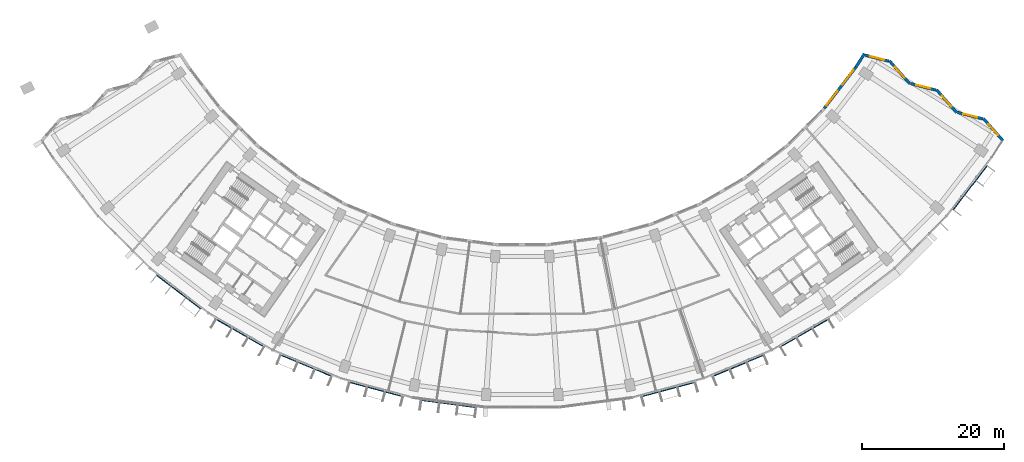
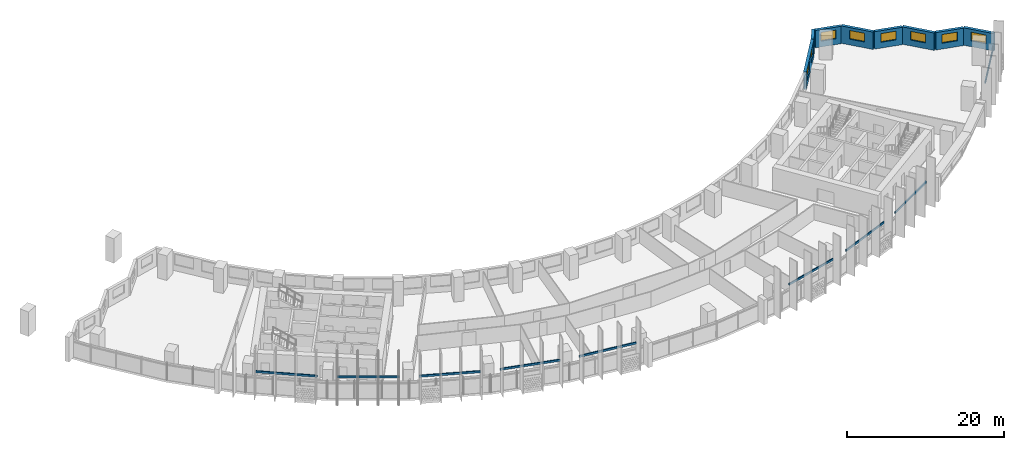
# One storey, part 8 of 32: 9 discrete accessories, 8 walls, 8 windows, 8 openings.
"""IFC4 building model written with IfcOpenShell, lengths in metres."""

from ifc_helpers import new_model, si_unit, direction, frame, frame_2d, origin, origin_2d, place, context, subcontext, project, spatial, rectangle, extrude, material, layer, layer_set, type_object, element, fill, save


model = new_model("IFC4")

# Units and contexts
model_context = context("Model", 3, precision=1e-05, world=origin(), true_north=direction((0.0, 1.0)))
body_context = subcontext(model_context, "Body", "Model", "MODEL_VIEW")
ifc_project = project(units=[si_unit("LENGTHUNIT", "METRE"), si_unit("AREAUNIT", "SQUARE_METRE"), si_unit("VOLUMEUNIT", "CUBIC_METRE"), si_unit("PLANEANGLEUNIT", "RADIAN"), si_unit("MASSUNIT", "GRAM", prefix="KILO")], contexts=[model_context])

# Site, building, storey
site_placement = place(None, origin())
site = spatial("IfcSite", under=ifc_project, at=site_placement, CompositionType="ELEMENT")
building_placement = place(site_placement, origin())
building = spatial("IfcBuilding", under=site, at=building_placement, Name="Qamariyya Broadcast Tower", CompositionType="ELEMENT")
storey_placement = place(building_placement, frame((0.0, 0.0, 70.89990234375)))
storey = spatial("IfcBuildingStorey", under=building, at=storey_placement, Name="L14", CompositionType="ELEMENT", Elevation=70.89990234375)

# Wall, opening, window
ifc_material_1 = material(Name="Terracotta", Category="masonry")
ifc_layer = layer(ifc_material_1, 0.39990234375)
ifc_layer_set = layer_set([ifc_layer], Name="Terracotta clad wall 400")
wall_type = type_object("IfcWallType", Name="Terracotta clad wall 400", PredefinedType="SOLIDWALL", material=ifc_layer_set)
wall_1_placement = place(storey_placement, frame((67.734375, -41.795166015625, 0.0), z_axis=(0.0, 0.0, 1.0), x_axis=(-0.660372824518, 0.750937901986, 0.0)))
wall_1 = element("IfcWall", 1, at=wall_1_placement, inside=storey, type_object=wall_type, Name="e-wl-L14-capE0", PredefinedType="SOLIDWALL", context=body_context, shape_type="SweptSolid", body=[
    extrude(rectangle(XDim=4.121826171875, YDim=0.39990234375, at=frame_2d((2.06103515625, 0.0))), origin(), (0.0, 0.0, 1.0), 2.7001953125),
])
opening_1_placement = place(wall_1_placement, frame((1.060791015625, 0.0, 0.89990234375)))
opening_1 = element("IfcOpeningElement", 2, at=opening_1_placement, cuts=wall_1, Name="Opening W4", PredefinedType="OPENING", context=body_context, shape_type="SweptSolid", body=[
    extrude(rectangle(XDim=2.0, YDim=1.35009765625, at=frame_2d((1.0, 0.675048828125))), frame((0.0, 0.2099609375, 0.0), z_axis=(0.0, -1.0, 0.0), x_axis=(1.0, 0.0, 0.0)), (0.0, 0.0, 1.0), 0.419921875),
])
ifc_material_2 = material(Name="Clear low-e double glazed unit in aluminium frame", Category="aluminium")
window_type_1 = type_object("IfcWindowType", Name="Horn bay window 2000 x 1350", PartitioningType="SINGLE_PANEL", PredefinedType="WINDOW", material=ifc_material_2)
window_1_placement = place(opening_1_placement, origin())
window_1 = element("IfcWindow", 3, at=window_1_placement, inside=storey, type_object=window_type_1, Name="e-w-L14-capE0", OverallHeight=1.35009765625, OverallWidth=2.0, PartitioningType="SINGLE_PANEL", PredefinedType="WINDOW", context=body_context, shape_type="SweptSolid", body=[
    extrude(rectangle(XDim=2.0, YDim=1.35009765625, at=frame_2d((1.0, 0.675048828125))), frame((0.0, 0.030029296875, 0.0), z_axis=(0.0, -1.0, 0.0), x_axis=(1.0, 0.0, 0.0)), (0.0, 0.0, 1.0), 0.06005859375),
])
fill(opening_1, window_1)

wall_2_placement = place(storey_placement, frame((64.887939453125, -38.732421875, 0.0), z_axis=(0.0, 0.0, 1.0), x_axis=(-0.968885967077, 0.247507540899, 0.0)))
wall_2 = element("IfcWall", 4, at=wall_2_placement, inside=storey, type_object=wall_type, Name="e-wl-L14-capE1", PredefinedType="SOLIDWALL", context=body_context, shape_type="SweptSolid", body=[
    extrude(rectangle(XDim=3.648681640625, YDim=0.39990234375, at=frame_2d((1.82421875, 0.0))), origin(), (0.0, 0.0, 1.0), 2.7001953125),
])
opening_2_placement = place(wall_2_placement, frame((0.824462890625, 0.0, 0.89990234375)))
opening_2 = element("IfcOpeningElement", 5, at=opening_2_placement, cuts=wall_2, Name="Opening W4", PredefinedType="OPENING", context=body_context, shape_type="SweptSolid", body=[
    extrude(rectangle(XDim=2.0, YDim=1.35009765625, at=frame_2d((1.0, 0.675048828125))), frame((0.0, 0.2099609375, 0.0), z_axis=(0.0, -1.0, 0.0), x_axis=(1.0, 0.0, 0.0)), (0.0, 0.0, 1.0), 0.419921875),
])
window_2_placement = place(opening_2_placement, origin())
window_2 = element("IfcWindow", 6, at=window_2_placement, inside=storey, type_object=window_type_1, Name="e-w-L14-capE1", OverallHeight=1.35009765625, OverallWidth=2.0, PartitioningType="SINGLE_PANEL", PredefinedType="WINDOW", context=body_context, shape_type="SweptSolid", body=[
    extrude(rectangle(XDim=2.0, YDim=1.35009765625, at=frame_2d((1.0, 0.675048828125))), frame((0.0, 0.030029296875, 0.0), z_axis=(0.0, -1.0, 0.0), x_axis=(1.0, 0.0, 0.0)), (0.0, 0.0, 1.0), 0.06005859375),
])
fill(opening_2, window_2)

wall_3_placement = place(storey_placement, frame((61.228271484375, -37.861572265625, 0.0), z_axis=(0.0, 0.0, 1.0), x_axis=(-0.660434355072, 0.750883787707, 0.0)))
wall_3 = element("IfcWall", 7, at=wall_3_placement, inside=storey, type_object=wall_type, Name="e-wl-L14-capE2", PredefinedType="SOLIDWALL", context=body_context, shape_type="SweptSolid", body=[
    extrude(rectangle(XDim=4.29443359375, YDim=0.39990234375, at=frame_2d((2.147216796875, 0.0))), origin(), (0.0, 0.0, 1.0), 2.7001953125),
])
opening_3_placement = place(wall_3_placement, frame((1.147216796875, 0.0, 0.89990234375)))
opening_3 = element("IfcOpeningElement", 8, at=opening_3_placement, cuts=wall_3, Name="Opening W4", PredefinedType="OPENING", context=body_context, shape_type="SweptSolid", body=[
    extrude(rectangle(XDim=2.0, YDim=1.35009765625, at=frame_2d((1.0, 0.675048828125))), frame((0.0, 0.2099609375, 0.0), z_axis=(0.0, -1.0, 0.0), x_axis=(1.0, 0.0, 0.0)), (0.0, 0.0, 1.0), 0.419921875),
])
window_3_placement = place(opening_3_placement, origin())
window_3 = element("IfcWindow", 9, at=window_3_placement, inside=storey, type_object=window_type_1, Name="e-w-L14-capE2", OverallHeight=1.35009765625, OverallWidth=2.0, PartitioningType="SINGLE_PANEL", PredefinedType="WINDOW", context=body_context, shape_type="SweptSolid", body=[
    extrude(rectangle(XDim=2.0, YDim=1.35009765625, at=frame_2d((1.0, 0.675048828125))), frame((0.0, 0.030029296875, 0.0), z_axis=(0.0, -1.0, 0.0), x_axis=(1.0, 0.0, 0.0)), (0.0, 0.0, 1.0), 0.06005859375),
])
fill(opening_3, window_3)

wall_4_placement = place(storey_placement, frame((58.267578125, -34.669189453125, 0.0), z_axis=(0.0, 0.0, 1.0), x_axis=(-0.968917710624, 0.247383245266, 0.0)))
wall_4 = element("IfcWall", 10, at=wall_4_placement, inside=storey, type_object=wall_type, Name="e-wl-L14-capE3", PredefinedType="SOLIDWALL", context=body_context, shape_type="SweptSolid", body=[
    extrude(rectangle(XDim=3.6474609375, YDim=0.39990234375, at=frame_2d((1.82373046875, 0.0))), origin(), (0.0, 0.0, 1.0), 2.7001953125),
])
opening_4_placement = place(wall_4_placement, frame((0.82373046875, 0.0, 0.89990234375)))
opening_4 = element("IfcOpeningElement", 11, at=opening_4_placement, cuts=wall_4, Name="Opening W4", PredefinedType="OPENING", context=body_context, shape_type="SweptSolid", body=[
    extrude(rectangle(XDim=2.0, YDim=1.35009765625, at=frame_2d((1.0, 0.675048828125))), frame((0.0, 0.2099609375, 0.0), z_axis=(0.0, -1.0, 0.0), x_axis=(1.0, 0.0, 0.0)), (0.0, 0.0, 1.0), 0.419921875),
])
window_4_placement = place(opening_4_placement, origin())
window_4 = element("IfcWindow", 12, at=window_4_placement, inside=storey, type_object=window_type_1, Name="e-w-L14-capE3", OverallHeight=1.35009765625, OverallWidth=2.0, PartitioningType="SINGLE_PANEL", PredefinedType="WINDOW", context=body_context, shape_type="SweptSolid", body=[
    extrude(rectangle(XDim=2.0, YDim=1.35009765625, at=frame_2d((1.0, 0.675048828125))), frame((0.0, 0.030029296875, 0.0), z_axis=(0.0, -1.0, 0.0), x_axis=(1.0, 0.0, 0.0)), (0.0, 0.0, 1.0), 0.06005859375),
])
fill(opening_4, window_4)

wall_5_placement = place(storey_placement, frame((54.60888671875, -33.799072265625, 0.0), z_axis=(0.0, 0.0, 1.0), x_axis=(-0.660510019044, 0.75081723125, 0.0)))
wall_5 = element("IfcWall", 13, at=wall_5_placement, inside=storey, type_object=wall_type, Name="e-wl-L14-capE4", PredefinedType="SOLIDWALL", context=body_context, shape_type="SweptSolid", body=[
    extrude(rectangle(XDim=4.295654296875, YDim=0.39990234375, at=frame_2d((2.14794921875, 0.0))), origin(), (0.0, 0.0, 1.0), 2.7001953125),
])
opening_5_placement = place(wall_5_placement, frame((1.14794921875, 0.0, 0.89990234375)))
opening_5 = element("IfcOpeningElement", 14, at=opening_5_placement, cuts=wall_5, Name="Opening W4", PredefinedType="OPENING", context=body_context, shape_type="SweptSolid", body=[
    extrude(rectangle(XDim=2.0, YDim=1.35009765625, at=frame_2d((1.0, 0.675048828125))), frame((0.0, 0.2099609375, 0.0), z_axis=(0.0, -1.0, 0.0), x_axis=(1.0, 0.0, 0.0)), (0.0, 0.0, 1.0), 0.419921875),
])
window_5_placement = place(opening_5_placement, origin())
window_5 = element("IfcWindow", 15, at=window_5_placement, inside=storey, type_object=window_type_1, Name="e-w-L14-capE4", OverallHeight=1.35009765625, OverallWidth=2.0, PartitioningType="SINGLE_PANEL", PredefinedType="WINDOW", context=body_context, shape_type="SweptSolid", body=[
    extrude(rectangle(XDim=2.0, YDim=1.35009765625, at=frame_2d((1.0, 0.675048828125))), frame((0.0, 0.030029296875, 0.0), z_axis=(0.0, -1.0, 0.0), x_axis=(1.0, 0.0, 0.0)), (0.0, 0.0, 1.0), 0.06005859375),
])
fill(opening_5, window_5)

wall_6_placement = place(storey_placement, frame((51.64697265625, -30.60595703125, 0.0), z_axis=(0.0, 0.0, 1.0), x_axis=(-0.968937517371, 0.247305655881, 0.0)))
wall_6 = element("IfcWall", 16, at=wall_6_placement, inside=storey, type_object=wall_type, Name="e-wl-L14-capE5", PredefinedType="SOLIDWALL", context=body_context, shape_type="SweptSolid", body=[
    extrude(rectangle(XDim=3.39404296875, YDim=0.39990234375, at=frame_2d((1.697021484375, 0.0))), origin(), (0.0, 0.0, 1.0), 2.7001953125),
])
opening_6_placement = place(wall_6_placement, frame((0.697021484375, 0.0, 0.89990234375)))
opening_6 = element("IfcOpeningElement", 17, at=opening_6_placement, cuts=wall_6, Name="Opening W4", PredefinedType="OPENING", context=body_context, shape_type="SweptSolid", body=[
    extrude(rectangle(XDim=2.0, YDim=1.35009765625, at=frame_2d((1.0, 0.675048828125))), frame((0.0, 0.2099609375, 0.0), z_axis=(0.0, -1.0, 0.0), x_axis=(1.0, 0.0, 0.0)), (0.0, 0.0, 1.0), 0.419921875),
])
window_6_placement = place(opening_6_placement, origin())
window_6 = element("IfcWindow", 18, at=window_6_placement, inside=storey, type_object=window_type_1, Name="e-w-L14-capE5", OverallHeight=1.35009765625, OverallWidth=2.0, PartitioningType="SINGLE_PANEL", PredefinedType="WINDOW", context=body_context, shape_type="SweptSolid", body=[
    extrude(rectangle(XDim=2.0, YDim=1.35009765625, at=frame_2d((1.0, 0.675048828125))), frame((0.0, 0.030029296875, 0.0), z_axis=(0.0, -1.0, 0.0), x_axis=(1.0, 0.0, 0.0)), (0.0, 0.0, 1.0), 0.06005859375),
])
fill(opening_6, window_6)

# Wall, openings, windows
wall_7_placement = place(storey_placement, frame((46.997802734375, -31.446533203125, 0.0), z_axis=(0.0, 0.0, 1.0), x_axis=(-0.608743506398, -0.793367092472, 0.0)))
wall_7 = element("IfcWall", 19, at=wall_7_placement, inside=storey, type_object=wall_type, Name="e-wl-L14-in150", PredefinedType="SOLIDWALL", context=body_context, shape_type="SweptSolid", body=[
    extrude(rectangle(XDim=7.31005859375, YDim=0.39990234375, at=frame_2d((3.655029296875, 0.0))), origin(), (0.0, 0.0, 1.0), 2.7001953125),
])
opening_7_placement = place(wall_7_placement, frame((4.204833984375, 0.0, 0.89990234375)))
opening_7 = element("IfcOpeningElement", 20, at=opening_7_placement, cuts=wall_7, Name="Opening W1", PredefinedType="OPENING", context=body_context, shape_type="SweptSolid", body=[
    extrude(rectangle(XDim=2.60009765625, YDim=1.64990234375, at=frame_2d((1.300048828125, 0.824951171875))), frame((0.0, 0.2099609375, 0.0), z_axis=(0.0, -1.0, 0.0), x_axis=(1.0, 0.0, 0.0)), (0.0, 0.0, 1.0), 0.419921875),
])
opening_8_placement = place(wall_7_placement, frame((0.51953125, 0.0, 0.89990234375)))
opening_8 = element("IfcOpeningElement", 21, at=opening_8_placement, cuts=wall_7, Name="Opening W1", PredefinedType="OPENING", context=body_context, shape_type="SweptSolid", body=[
    extrude(rectangle(XDim=2.60009765625, YDim=1.64990234375, at=frame_2d((1.300048828125, 0.824951171875))), frame((0.0, 0.2099609375, 0.0), z_axis=(0.0, -1.0, 0.0), x_axis=(1.0, 0.0, 0.0)), (0.0, 0.0, 1.0), 0.419921875),
])
window_type_2 = type_object("IfcWindowType", Name="Ribbon window 2600 x 1650", PartitioningType="SINGLE_PANEL", PredefinedType="WINDOW", material=ifc_material_2)
window_7_placement = place(opening_7_placement, origin())
window_7 = element("IfcWindow", 22, at=window_7_placement, inside=storey, type_object=window_type_2, Name="e-w-L14-in15-0", OverallHeight=1.64990234375, OverallWidth=2.60009765625, PartitioningType="SINGLE_PANEL", PredefinedType="WINDOW", context=body_context, shape_type="SweptSolid", body=[
    extrude(rectangle(XDim=2.60009765625, YDim=1.64990234375, at=frame_2d((1.300048828125, 0.824951171875))), frame((0.0, 0.030029296875, 0.0), z_axis=(0.0, -1.0, 0.0), x_axis=(1.0, 0.0, 0.0)), (0.0, 0.0, 1.0), 0.06005859375),
])
fill(opening_7, window_7)
window_8_placement = place(opening_8_placement, origin())
window_8 = element("IfcWindow", 23, at=window_8_placement, inside=storey, type_object=window_type_2, Name="e-w-L14-in15-1", OverallHeight=1.64990234375, OverallWidth=2.60009765625, PartitioningType="SINGLE_PANEL", PredefinedType="WINDOW", context=body_context, shape_type="SweptSolid", body=[
    extrude(rectangle(XDim=2.60009765625, YDim=1.64990234375, at=frame_2d((1.300048828125, 0.824951171875))), frame((0.0, 0.030029296875, 0.0), z_axis=(0.0, -1.0, 0.0), x_axis=(1.0, 0.0, 0.0)), (0.0, 0.0, 1.0), 0.06005859375),
])
fill(opening_8, window_8)

# Wall
wall_8_placement = place(storey_placement, frame((48.21923828125, -29.544921875, 0.0), z_axis=(0.0, 0.0, 1.0), x_axis=(-0.539414935226, -0.842040098603, 0.0)))
element("IfcWall", 24, at=wall_8_placement, inside=storey, type_object=wall_type, Name="e-wl-L14-in160", PredefinedType="SOLIDWALL", context=body_context, shape_type="SweptSolid", body=[
    extrude(rectangle(XDim=2.24365234375, YDim=0.39990234375, at=frame_2d((1.121826171875, 0.0))), origin(), (0.0, 0.0, 1.0), 2.7001953125),
])

# Discrete accessories
ifc_material_3 = material(Name="Stainless steel 316", Category="steel")
discrete_accessory_type = type_object("IfcDiscreteAccessoryType", Name="Slab edge fixing angle, stainless steel", PredefinedType="BRACKET", material=ifc_material_3)
for number, where, z_axis, x_axis, name in (
    (25, (-48.4296875, -63.11474609375, 3.30029296875), (0.0, 0.0, 1.0), (0.793353340291, -0.608761429009, 0.0), "e-br-L14-03-0"),
    (26, (-39.77734375, -68.896240234375, 3.30029296875), (0.0, 0.0, 1.0), (0.866025403784, -0.5, 0.0), "e-br-L14-04-0"),
    (27, (-30.444091796875, -73.498779296875, 3.30029296875), (0.0, 0.0, 1.0), (0.923879532511, -0.382683432365, 0.0), "e-br-L14-05-0"),
    (28, (-20.59033203125, -76.84375, 3.30029296875), (0.0, 0.0, 1.0), (0.965925826289, -0.258819045103, 0.0), "e-br-L14-06-0"),
    (29, (-10.384033203125, -78.873779296875, 3.30029296875), (0.0, 0.0, 1.0), (0.991444861374, -0.13052619222, 0.0), "e-br-L14-07-0"),
    (30, (20.59033203125, -76.84375, 3.30029296875), (0.0, 0.0, 1.0), (0.965925826289, 0.258819045103, 0.0), "e-br-L14-10-0"),
    (31, (30.444091796875, -73.498779296875, 3.30029296875), (0.0, 0.0, 1.0), (0.923879532511, 0.382683432365, 0.0), "e-br-L14-11-0"),
    (32, (39.77734375, -68.896240234375, 3.30029296875), (0.0, 0.0, 1.0), (0.866025403784, 0.5, 0.0), "e-br-L14-12-0"),
    (33, (63.11474609375, -48.4296875, 3.30029296875), (0.0, 0.0, 1.0), (0.608761429009, 0.793353340291, 0.0), "e-br-L14-15-0"),
):
    element("IfcDiscreteAccessory", number, at=place(storey_placement, frame(where, z_axis=z_axis, x_axis=x_axis)), inside=storey, type_object=discrete_accessory_type, Name=name, PredefinedType="BRACKET", context=body_context, shape_type="SweptSolid", body=[
        extrude(rectangle(XDim=7.9140625, YDim=0.14990234375, at=origin_2d()), origin(), (0.0, 0.0, 1.0), 0.300048828125),
    ])

save(model, "model.ifc")
